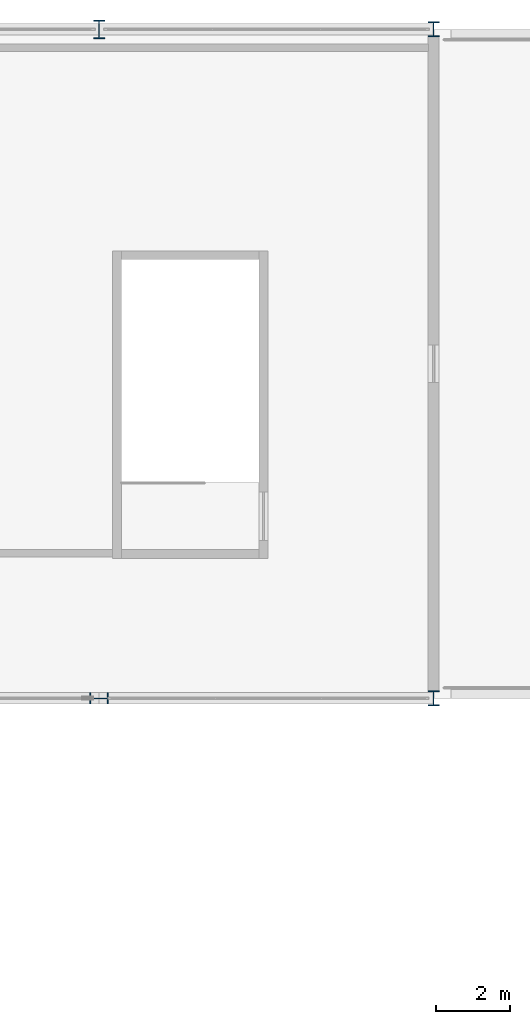
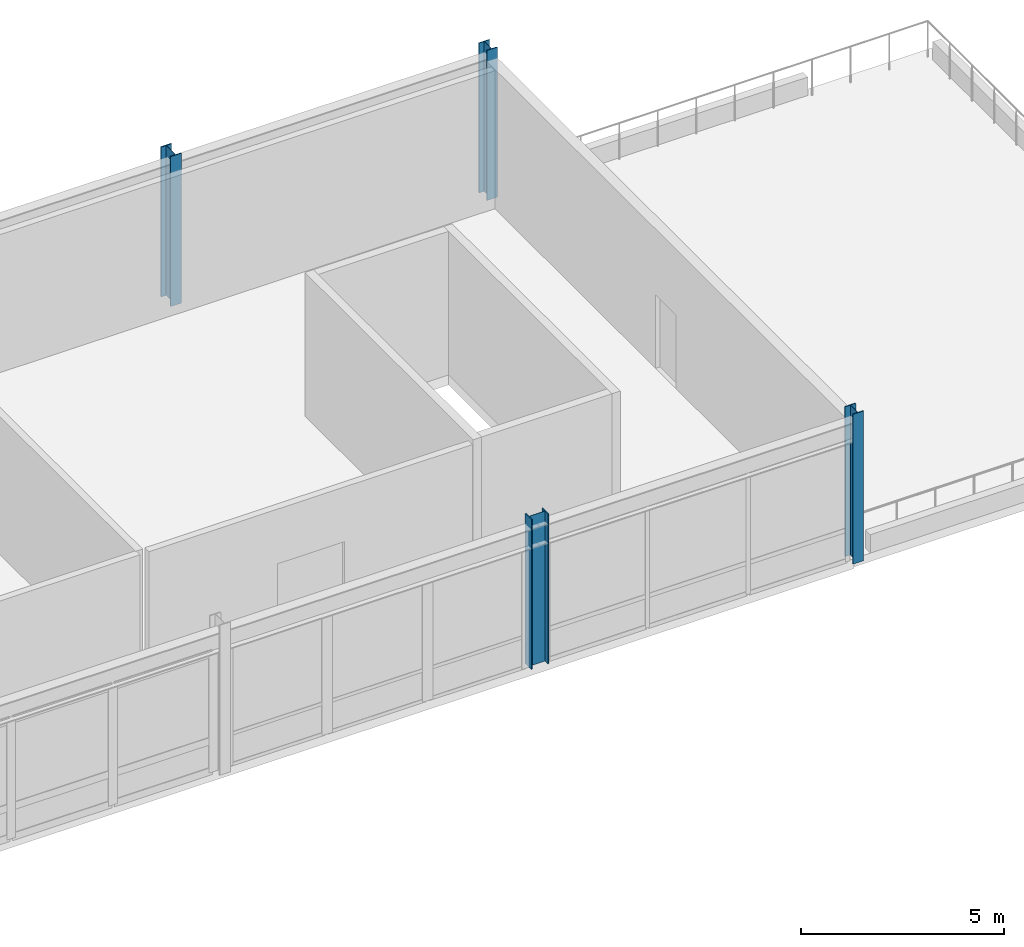
# One storey, part 8 of 67: 4 columns.
"""IFC4 building model written with IfcOpenShell, lengths in metres."""

from ifc_helpers import new_model, si_unit, direction, frame, origin, origin_2d, place, context, subcontext, project, spatial, i_section, extrude, material, material_profile, profile_set, type_object, element, save


model = new_model("IFC4")

# Units and contexts
model_context = context("Model", 3, precision=1e-05, world=origin(), true_north=direction((0.0, 1.0)))
body_context = subcontext(model_context, "Body", "Model", "MODEL_VIEW")
ifc_project = project(units=[si_unit("LENGTHUNIT", "METRE"), si_unit("AREAUNIT", "SQUARE_METRE"), si_unit("VOLUMEUNIT", "CUBIC_METRE"), si_unit("PLANEANGLEUNIT", "RADIAN"), si_unit("MASSUNIT", "GRAM", prefix="KILO")], contexts=[model_context])

# Site, building, storey
site_placement = place(None, origin())
site = spatial("IfcSite", under=ifc_project, at=site_placement, CompositionType="ELEMENT")
building_placement = place(site_placement, origin())
building = spatial("IfcBuilding", under=site, at=building_placement, Name="Montelvaro Courts of Justice", CompositionType="ELEMENT")
storey_placement = place(building_placement, frame((0.0, 0.0, 18.89990234375)))
storey = spatial("IfcBuildingStorey", under=building, at=storey_placement, Name="L04", CompositionType="ELEMENT", Elevation=18.89990234375)

# Columns
ifc_material = material(Name="Steel S355", Category="steel")
ifc_material_profile_1 = material_profile(ifc_material, i_section(OverallWidth=0.300048828125, OverallDepth=0.39990234375, WebThickness=0.013427734375, FlangeThickness=0.02392578125, at=origin_2d()), Name="HEB 400")
ifc_profile_set_1 = profile_set([ifc_material_profile_1], Name="Steel S355")
column_type_1 = type_object("IfcColumnType", Name="Col_HEB400", PredefinedType="COLUMN", material=ifc_profile_set_1)
for number, where, z_axis, x_axis, name in (
    (1, (162.0, 78.0, 0.0), (0.0, 0.0, 1.0), (1.0, 0.0, 0.0), "Column C-07 L04 19/G"),
    (2, (162.0, 96.0, 0.0), (0.0, 0.0, 1.0), (1.0, 0.0, 0.0), "Column C-07 L04 19/H"),
):
    element("IfcColumn", number, at=place(storey_placement, frame(where, z_axis=z_axis, x_axis=x_axis)), inside=storey, type_object=column_type_1, Name=name, PredefinedType="COLUMN", context=body_context, shape_type="SweptSolid", body=[
        extrude(i_section(OverallWidth=0.300048828125, OverallDepth=0.39990234375, WebThickness=0.013427734375, FlangeThickness=0.02392578125, at=origin_2d()), origin(), (0.0, 0.0, 1.0), 4.5),
    ])
ifc_material_profile_2 = material_profile(ifc_material, i_section(OverallWidth=0.300048828125, OverallDepth=0.5, WebThickness=0.014404296875, FlangeThickness=0.028076171875, at=origin_2d()), Name="HEB 500")
ifc_profile_set_2 = profile_set([ifc_material_profile_2], Name="Steel S355")
column_type_2 = type_object("IfcColumnType", Name="Col_HEB500", PredefinedType="COLUMN", material=ifc_profile_set_2)
for number, where, z_axis, x_axis, name in (
    (3, (153.0, 78.0, 0.0), (0.0, 0.0, 1.0), (0.0, 1.0, 0.0), "Column C-09 L04 18/G"),
    (4, (153.0, 96.0, 0.0), (0.0, 0.0, 1.0), (1.0, 0.0, 0.0), "Column C-09 L04 18/H"),
):
    element("IfcColumn", number, at=place(storey_placement, frame(where, z_axis=z_axis, x_axis=x_axis)), inside=storey, type_object=column_type_2, Name=name, PredefinedType="COLUMN", context=body_context, shape_type="SweptSolid", body=[
        extrude(i_section(OverallWidth=0.300048828125, OverallDepth=0.5, WebThickness=0.014404296875, FlangeThickness=0.028076171875, at=origin_2d()), origin(), (0.0, 0.0, 1.0), 4.5),
    ])

save(model, "model.ifc")
